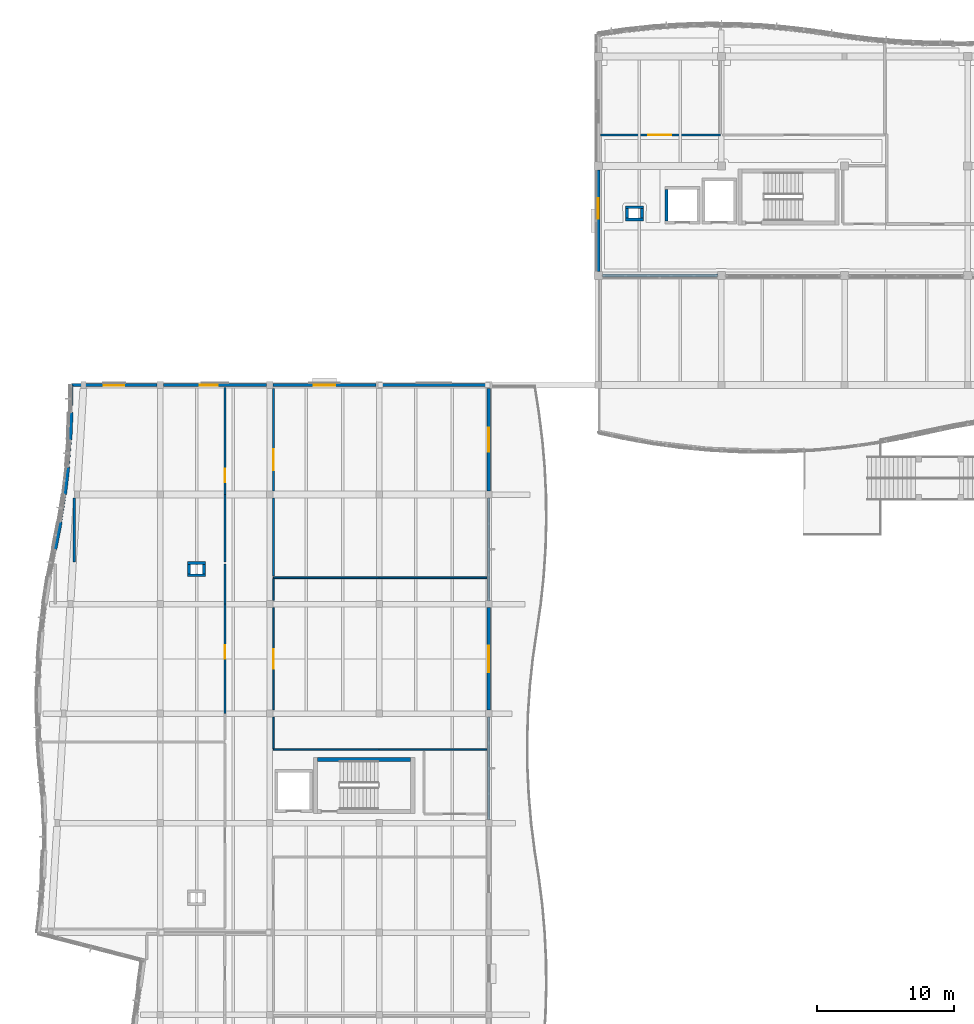
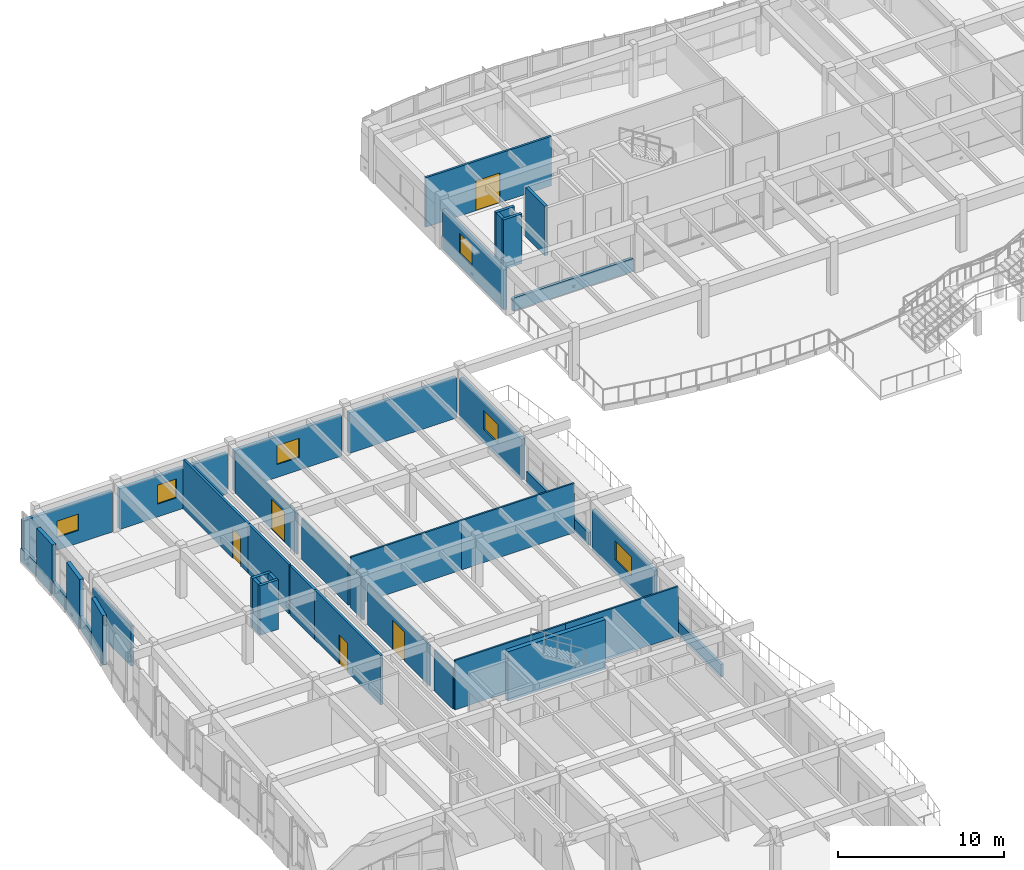
# One storey, part 59 of 89: 41 walls, 6 windows, 5 doors, 11 openings.
"""IFC4 building model written with IfcOpenShell, lengths in metres."""

from ifc_helpers import new_model, si_unit, direction, frame, frame_2d, origin, place, context, subcontext, project, spatial, rectangle, extrude, material, layer, layer_set, type_object, element, fill, save


model = new_model("IFC4")

# Units and contexts
model_context = context("Model", 3, precision=1e-05, world=origin(), true_north=direction((0.0, 1.0)))
body_context = subcontext(model_context, "Body", "Model", "MODEL_VIEW")
ifc_project = project(units=[si_unit("LENGTHUNIT", "METRE"), si_unit("AREAUNIT", "SQUARE_METRE"), si_unit("VOLUMEUNIT", "CUBIC_METRE"), si_unit("PLANEANGLEUNIT", "RADIAN"), si_unit("MASSUNIT", "GRAM", prefix="KILO")], contexts=[model_context])

# Site, building, storey
site_placement = place(None, origin())
site = spatial("IfcSite", under=ifc_project, at=site_placement, CompositionType="ELEMENT")
building_placement = place(site_placement, origin())
building = spatial("IfcBuilding", under=site, at=building_placement, Name="Tonlespit Floodbar School", CompositionType="ELEMENT")
storey_placement = place(building_placement, frame((0.0, 0.0, 4.5)))
storey = spatial("IfcBuildingStorey", under=building, at=storey_placement, Name="L01", CompositionType="ELEMENT", Elevation=4.5)

# Wall
ifc_material_1 = material(Name="Concrete C40/50", Category="concrete")
ifc_layer_1 = layer(ifc_material_1, 0.300048828125)
ifc_layer_set_1 = layer_set([ifc_layer_1], Name="Concrete C40/50")
wall_type_1 = type_object("IfcWallType", Name="CoreWall_RC_300", PredefinedType="SHEAR", material=ifc_layer_set_1)
wall_1_placement = place(storey_placement, frame((30.300048828125, 68.64990234375, 0.0), z_axis=(0.0, 0.0, 1.0), x_axis=(-1.0, 0.0, 0.0)))
element("IfcWall", 1, at=wall_1_placement, inside=storey, type_object=wall_type_1, Name="L01 core C3 shear wall RGHT", PredefinedType="SHEAR", context=body_context, shape_type="SweptSolid", body=[
    extrude(rectangle(XDim=6.800048828125, YDim=0.300048828125, at=frame_2d((3.39990234375, 0.0))), origin(), (0.0, 0.0, 1.0), 3.64990234375),
])

# Wall, opening, window
ifc_material_2 = material(Name="Precast concrete C40/50", Category="concrete")
ifc_layer_2 = layer(ifc_material_2, 0.239990234375)
ifc_layer_set_2 = layer_set([ifc_layer_2], Name="Precast concrete C40/50")
wall_type_2 = type_object("IfcWallType", Name="ExtWall_Rainscreen_240", PredefinedType="SOLIDWALL", material=ifc_layer_set_2)
wall_2_placement = place(storey_placement, frame((44.0, 104.300048828125, 0.0), z_axis=(0.0, 0.0, 1.0), x_axis=(0.0, 1.0, 0.0)))
wall_2 = element("IfcWall", 2, at=wall_2_placement, inside=storey, type_object=wall_type_2, Name="L01 external wall 0092", PredefinedType="SOLIDWALL", context=body_context, shape_type="SweptSolid", body=[
    extrude(rectangle(XDim=7.39990234375, YDim=0.239990234375, at=frame_2d((3.699951171875, 0.0))), origin(), (0.0, 0.0, 1.0), 2.945068359375),
])
opening_1_placement = place(wall_2_placement, frame((3.85009765625, 0.0, 0.949951171875)))
opening_1 = element("IfcOpeningElement", 3, at=opening_1_placement, cuts=wall_2, Name="Opening W-L01-003", PredefinedType="OPENING", context=body_context, shape_type="SweptSolid", body=[
    extrude(rectangle(XDim=1.5, YDim=1.5, at=frame_2d((0.75, 0.75))), frame((0.0, 0.1298828125, 0.0), z_axis=(0.0, -1.0, 0.0), x_axis=(1.0, 0.0, 0.0)), (0.0, 0.0, 1.0), 0.260009765625),
])
ifc_material_3 = material(Name="Tempered Double Glazing", Category="glass")
window_type_1 = type_object("IfcWindowType", Name="Win_Mod_1500x1500", PartitioningType="SINGLE_PANEL", PredefinedType="WINDOW", material=ifc_material_3)
window_1_placement = place(opening_1_placement, origin())
window_1 = element("IfcWindow", 4, at=window_1_placement, inside=storey, type_object=window_type_1, Name="L01 window W-L01-003", OverallHeight=1.5, OverallWidth=1.5, PartitioningType="SINGLE_PANEL", PredefinedType="WINDOW", context=body_context, shape_type="SweptSolid", body=[
    extrude(rectangle(XDim=1.5, YDim=1.5, at=frame_2d((0.75, 0.75))), frame((0.0, 0.030029296875, 0.0), z_axis=(0.0, -1.0, 0.0), x_axis=(1.0, 0.0, 0.0)), (0.0, 0.0, 1.0), 0.06005859375),
])
fill(opening_1, window_1)

wall_3_placement = place(storey_placement, frame((5.514892578125, 96.0, 0.0), z_axis=(0.0, 0.0, 1.0), x_axis=(1.0, 0.0, 0.0)))
wall_3 = element("IfcWall", 5, at=wall_3_placement, inside=storey, type_object=wall_type_2, Name="L01 external wall 0364", PredefinedType="SOLIDWALL", context=body_context, shape_type="SweptSolid", body=[
    extrude(rectangle(XDim=6.235107421875, YDim=0.239990234375, at=frame_2d((3.11767578125, 0.0))), origin(), (0.0, 0.0, 1.0), 3.0),
])
opening_2_placement = place(wall_3_placement, frame((2.367431640625, 0.0, 0.949951171875)))
opening_2 = element("IfcOpeningElement", 6, at=opening_2_placement, cuts=wall_3, Name="Opening W-L01-028", PredefinedType="OPENING", context=body_context, shape_type="SweptSolid", body=[
    extrude(rectangle(XDim=1.5, YDim=1.199951171875, at=frame_2d((0.75, 0.60009765625))), frame((0.0, 0.1298828125, 0.0), z_axis=(0.0, -1.0, 0.0), x_axis=(1.0, 0.0, 0.0)), (0.0, 0.0, 1.0), 0.260009765625),
])
window_type_2 = type_object("IfcWindowType", Name="Win_Mod_1500x1200", PartitioningType="SINGLE_PANEL", PredefinedType="WINDOW", material=ifc_material_3)
window_2_placement = place(opening_2_placement, origin())
window_2 = element("IfcWindow", 7, at=window_2_placement, inside=storey, type_object=window_type_2, Name="L01 window W-L01-028", OverallHeight=1.199951171875, OverallWidth=1.5, PartitioningType="SINGLE_PANEL", PredefinedType="WINDOW", context=body_context, shape_type="SweptSolid", body=[
    extrude(rectangle(XDim=1.5, YDim=1.199951171875, at=frame_2d((0.75, 0.60009765625))), frame((0.0, 0.030029296875, 0.0), z_axis=(0.0, -1.0, 0.0), x_axis=(1.0, 0.0, 0.0)), (0.0, 0.0, 1.0), 0.06005859375),
])
fill(opening_2, window_2)

wall_4_placement = place(storey_placement, frame((12.25, 96.0, 0.0), z_axis=(0.0, 0.0, 1.0), x_axis=(1.0, 0.0, 0.0)))
wall_4 = element("IfcWall", 8, at=wall_4_placement, inside=storey, type_object=wall_type_2, Name="L01 external wall 0365", PredefinedType="SOLIDWALL", context=body_context, shape_type="SweptSolid", body=[
    extrude(rectangle(XDim=7.5, YDim=0.239990234375, at=frame_2d((3.75, 0.0))), origin(), (0.0, 0.0, 1.0), 3.0),
])
opening_3_placement = place(wall_4_placement, frame((2.64990234375, 0.0, 0.949951171875)))
opening_3 = element("IfcOpeningElement", 9, at=opening_3_placement, cuts=wall_4, Name="Opening W-L01-029", PredefinedType="OPENING", context=body_context, shape_type="SweptSolid", body=[
    extrude(rectangle(XDim=1.300048828125, YDim=1.39990234375, at=frame_2d((0.64990234375, 0.699951171875))), frame((0.0, 0.1298828125, 0.0), z_axis=(0.0, -1.0, 0.0), x_axis=(1.0, 0.0, 0.0)), (0.0, 0.0, 1.0), 0.260009765625),
])
window_type_3 = type_object("IfcWindowType", Name="Win_Mod_1300x1400", PartitioningType="SINGLE_PANEL", PredefinedType="WINDOW", material=ifc_material_3)
window_3_placement = place(opening_3_placement, origin())
window_3 = element("IfcWindow", 10, at=window_3_placement, inside=storey, type_object=window_type_3, Name="L01 window W-L01-029", OverallHeight=1.39990234375, OverallWidth=1.300048828125, PartitioningType="SINGLE_PANEL", PredefinedType="WINDOW", context=body_context, shape_type="SweptSolid", body=[
    extrude(rectangle(XDim=1.300048828125, YDim=1.39990234375, at=frame_2d((0.64990234375, 0.699951171875))), frame((0.0, 0.030029296875, 0.0), z_axis=(0.0, -1.0, 0.0), x_axis=(1.0, 0.0, 0.0)), (0.0, 0.0, 1.0), 0.06005859375),
])
fill(opening_3, window_3)

wall_5_placement = place(storey_placement, frame((20.25, 96.0, 0.0), z_axis=(0.0, 0.0, 1.0), x_axis=(1.0, 0.0, 0.0)))
wall_5 = element("IfcWall", 11, at=wall_5_placement, inside=storey, type_object=wall_type_2, Name="L01 external wall 0366", PredefinedType="SOLIDWALL", context=body_context, shape_type="SweptSolid", body=[
    extrude(rectangle(XDim=7.5, YDim=0.239990234375, at=frame_2d((3.75, 0.0))), origin(), (0.0, 0.0, 1.0), 3.0),
])
opening_4_placement = place(wall_5_placement, frame((2.97509765625, 0.0, 0.949951171875)))
opening_4 = element("IfcOpeningElement", 12, at=opening_4_placement, cuts=wall_5, Name="Opening W-L01-030", PredefinedType="OPENING", context=body_context, shape_type="SweptSolid", body=[
    extrude(rectangle(XDim=1.550048828125, YDim=1.39990234375, at=frame_2d((0.77490234375, 0.699951171875))), frame((0.0, 0.1298828125, 0.0), z_axis=(0.0, -1.0, 0.0), x_axis=(1.0, 0.0, 0.0)), (0.0, 0.0, 1.0), 0.260009765625),
])
window_type_4 = type_object("IfcWindowType", Name="Win_Mod_1550x1400", PartitioningType="SINGLE_PANEL", PredefinedType="WINDOW", material=ifc_material_3)
window_4_placement = place(opening_4_placement, origin())
window_4 = element("IfcWindow", 13, at=window_4_placement, inside=storey, type_object=window_type_4, Name="L01 window W-L01-030", OverallHeight=1.39990234375, OverallWidth=1.550048828125, PartitioningType="SINGLE_PANEL", PredefinedType="WINDOW", context=body_context, shape_type="SweptSolid", body=[
    extrude(rectangle(XDim=1.550048828125, YDim=1.39990234375, at=frame_2d((0.77490234375, 0.699951171875))), frame((0.0, 0.030029296875, 0.0), z_axis=(0.0, -1.0, 0.0), x_axis=(1.0, 0.0, 0.0)), (0.0, 0.0, 1.0), 0.06005859375),
])
fill(opening_4, window_4)

# Wall
wall_6_placement = place(storey_placement, frame((28.25, 96.0, 0.0), z_axis=(0.0, 0.0, 1.0), x_axis=(1.0, 0.0, 0.0)))
element("IfcWall", 14, at=wall_6_placement, inside=storey, type_object=wall_type_2, Name="L01 external wall 0367", PredefinedType="SOLIDWALL", context=body_context, shape_type="SweptSolid", body=[
    extrude(rectangle(XDim=7.5, YDim=0.239990234375, at=frame_2d((3.75, 0.0))), origin(), (0.0, 0.0, 1.0), 3.0),
])

# Wall, opening, window
wall_7_placement = place(storey_placement, frame((36.0, 95.75, 0.0), z_axis=(0.0, 0.0, 1.0), x_axis=(0.0, -1.0, 0.0)))
wall_7 = element("IfcWall", 15, at=wall_7_placement, inside=storey, type_object=wall_type_2, Name="L01 external wall 0368", PredefinedType="SOLIDWALL", context=body_context, shape_type="SweptSolid", body=[
    extrude(rectangle(XDim=7.5, YDim=0.239990234375, at=frame_2d((3.75, 0.0))), origin(), (0.0, 0.0, 1.0), 3.0),
])
opening_5_placement = place(wall_7_placement, frame((2.875, 0.0, 0.949951171875)))
opening_5 = element("IfcOpeningElement", 16, at=opening_5_placement, cuts=wall_7, Name="Opening W-L01-031", PredefinedType="OPENING", context=body_context, shape_type="SweptSolid", body=[
    extrude(rectangle(XDim=1.75, YDim=1.39990234375, at=frame_2d((0.875, 0.699951171875))), frame((0.0, 0.1298828125, 0.0), z_axis=(0.0, -1.0, 0.0), x_axis=(1.0, 0.0, 0.0)), (0.0, 0.0, 1.0), 0.260009765625),
])
window_type_5 = type_object("IfcWindowType", Name="Win_Mod_1750x1400", PartitioningType="DOUBLE_PANEL_VERTICAL", PredefinedType="WINDOW", material=ifc_material_3)
window_5_placement = place(opening_5_placement, origin())
window_5 = element("IfcWindow", 17, at=window_5_placement, inside=storey, type_object=window_type_5, Name="L01 window W-L01-031", OverallHeight=1.39990234375, OverallWidth=1.75, PartitioningType="DOUBLE_PANEL_VERTICAL", PredefinedType="WINDOW", context=body_context, shape_type="SweptSolid", body=[
    extrude(rectangle(XDim=1.75, YDim=1.39990234375, at=frame_2d((0.875, 0.699951171875))), frame((0.0, 0.030029296875, 0.0), z_axis=(0.0, -1.0, 0.0), x_axis=(1.0, 0.0, 0.0)), (0.0, 0.0, 1.0), 0.06005859375),
])
fill(opening_5, window_5)

wall_8_placement = place(storey_placement, frame((36.0, 79.75, 0.0), z_axis=(0.0, 0.0, 1.0), x_axis=(0.0, -1.0, 0.0)))
wall_8 = element("IfcWall", 18, at=wall_8_placement, inside=storey, type_object=wall_type_2, Name="L01 external wall 0370", PredefinedType="SOLIDWALL", context=body_context, shape_type="SweptSolid", body=[
    extrude(rectangle(XDim=7.5, YDim=0.239990234375, at=frame_2d((3.75, 0.0))), origin(), (0.0, 0.0, 1.0), 3.0),
])
opening_6_placement = place(wall_8_placement, frame((2.77490234375, 0.0, 0.949951171875)))
opening_6 = element("IfcOpeningElement", 19, at=opening_6_placement, cuts=wall_8, Name="Opening W-L01-032", PredefinedType="OPENING", context=body_context, shape_type="SweptSolid", body=[
    extrude(rectangle(XDim=1.949951171875, YDim=1.39990234375, at=frame_2d((0.97509765625, 0.699951171875))), frame((0.0, 0.1298828125, 0.0), z_axis=(0.0, -1.0, 0.0), x_axis=(1.0, 0.0, 0.0)), (0.0, 0.0, 1.0), 0.260009765625),
])
window_type_6 = type_object("IfcWindowType", Name="Win_Mod_1950x1400", PartitioningType="DOUBLE_PANEL_VERTICAL", PredefinedType="WINDOW", material=ifc_material_3)
window_6_placement = place(opening_6_placement, origin())
window_6 = element("IfcWindow", 20, at=window_6_placement, inside=storey, type_object=window_type_6, Name="L01 window W-L01-032", OverallHeight=1.39990234375, OverallWidth=1.949951171875, PartitioningType="DOUBLE_PANEL_VERTICAL", PredefinedType="WINDOW", context=body_context, shape_type="SweptSolid", body=[
    extrude(rectangle(XDim=1.949951171875, YDim=1.39990234375, at=frame_2d((0.97509765625, 0.699951171875))), frame((0.0, 0.030029296875, 0.0), z_axis=(0.0, -1.0, 0.0), x_axis=(1.0, 0.0, 0.0)), (0.0, 0.0, 1.0), 0.06005859375),
])
fill(opening_6, window_6)

# Walls
ifc_layer_3 = layer(ifc_material_2, 0.260009765625)
ifc_layer_set_3 = layer_set([ifc_layer_3], Name="Precast concrete C40/50")
wall_type_3 = type_object("IfcWallType", Name="ExtWall_Rainscreen_260", PredefinedType="SOLIDWALL", material=ifc_layer_set_3)
wall_9_placement = place(storey_placement, frame((4.330078125, 84.0, 0.0), z_axis=(0.0, 0.0, 1.0), x_axis=(0.192152065658, 0.981365163262, 0.0)))
element("IfcWall", 21, at=wall_9_placement, inside=storey, type_object=wall_type_3, Name="L01 external wall 0358", PredefinedType="SOLIDWALL", context=body_context, shape_type="SweptSolid", body=[
    extrude(rectangle(XDim=2.0380859375, YDim=0.260009765625, at=frame_2d((1.01904296875, 0.0))), origin(), (0.0, 0.0, 1.0), 3.64990234375),
])
wall_10_placement = place(storey_placement, frame((5.034912109375, 88.0, 0.0), z_axis=(0.0, 0.0, 1.0), x_axis=(0.116988959085, 0.99313321536, 0.0)))
element("IfcWall", 22, at=wall_10_placement, inside=storey, type_object=wall_type_3, Name="L01 external wall 0360", PredefinedType="SOLIDWALL", context=body_context, shape_type="SweptSolid", body=[
    extrude(rectangle(XDim=2.013916015625, YDim=0.260009765625, at=frame_2d((1.0068359375, 0.0))), origin(), (0.0, 0.0, 1.0), 3.64990234375),
])
wall_11_placement = place(storey_placement, frame((5.42919921875, 92.0, 0.0), z_axis=(0.0, 0.0, 1.0), x_axis=(0.04061587159, 0.999174835039, 0.0)))
element("IfcWall", 23, at=wall_11_placement, inside=storey, type_object=wall_type_3, Name="L01 external wall 0362", PredefinedType="SOLIDWALL", context=body_context, shape_type="SweptSolid", body=[
    extrude(rectangle(XDim=2.001708984375, YDim=0.260009765625, at=frame_2d((1.0009765625, 0.0))), origin(), (0.0, 0.0, 1.0), 3.64990234375),
])
ifc_material_4 = material(Name="White Architectural Precast concrete C40/50", Category="concrete")
ifc_layer_4 = layer(ifc_material_4, 0.18505859375)
ifc_layer_set_4 = layer_set([ifc_layer_4], Name="White Architectural Precast concrete C40/50")
wall_type_4 = type_object("IfcWallType", Name="ExtWall_Spandrel_White_185", PredefinedType="SOLIDWALL", material=ifc_layer_set_4)
for number, where, z_axis, x_axis, name in (
    (24, (36.0, 87.75, 0.0), (0.0, 0.0, 1.0), (0.0, -1.0, 0.0), "L01 spandrel wall 0369"),
    (25, (36.0, 71.75, 0.0), (0.0, 0.0, 1.0), (0.0, -1.0, 0.0), "L01 spandrel wall 0371"),
):
    element("IfcWall", number, at=place(storey_placement, frame(where, z_axis=z_axis, x_axis=x_axis)), inside=storey, type_object=wall_type_4, Name=name, PredefinedType="SOLIDWALL", context=body_context, shape_type="SweptSolid", body=[
        extrude(rectangle(XDim=7.5, YDim=0.18505859375, at=frame_2d((3.75, 0.0))), origin(), (0.0, 0.0, 1.0), 0.949951171875),
    ])
ifc_layer_5 = layer(ifc_material_4, 0.199951171875)
ifc_layer_set_5 = layer_set([ifc_layer_5], Name="White Architectural Precast concrete C40/50")
wall_type_5 = type_object("IfcWallType", Name="ExtWall_Spandrel_White_200", PredefinedType="SOLIDWALL", material=ifc_layer_set_5)
wall_12_placement = place(storey_placement, frame((52.699951171875, 104.0, 0.0), z_axis=(0.0, 0.0, 1.0), x_axis=(-1.0, 0.0, 0.0)))
element("IfcWall", 26, at=wall_12_placement, inside=storey, type_object=wall_type_5, Name="L01 spandrel wall 0091", PredefinedType="SOLIDWALL", context=body_context, shape_type="SweptSolid", body=[
    extrude(rectangle(XDim=8.39990234375, YDim=0.199951171875, at=frame_2d((4.199951171875, 0.0))), origin(), (0.0, 0.0, 1.0), 0.949951171875),
])
wall_13_placement = place(storey_placement, frame((4.7216796875, 86.0, 0.0), z_axis=(0.0, 0.0, 1.0), x_axis=(0.15473004848, 0.987956786554, 0.0)))
element("IfcWall", 27, at=wall_13_placement, inside=storey, type_object=wall_type_5, Name="L01 spandrel wall 0359", PredefinedType="SOLIDWALL", context=body_context, shape_type="SweptSolid", body=[
    extrude(rectangle(XDim=2.0244140625, YDim=0.199951171875, at=frame_2d((1.01220703125, 0.0))), origin(), (0.0, 0.0, 1.0), 0.949951171875),
])
wall_14_placement = place(storey_placement, frame((5.2705078125, 90.0, 0.0), z_axis=(0.0, 0.0, 1.0), x_axis=(0.079097106354, 0.996866915775, 0.0)))
element("IfcWall", 28, at=wall_14_placement, inside=storey, type_object=wall_type_5, Name="L01 spandrel wall 0361", PredefinedType="SOLIDWALL", context=body_context, shape_type="SweptSolid", body=[
    extrude(rectangle(XDim=2.00634765625, YDim=0.199951171875, at=frame_2d((1.003173828125, 0.0))), origin(), (0.0, 0.0, 1.0), 0.949951171875),
])
wall_15_placement = place(storey_placement, frame((5.510498046875, 94.0, 0.0), z_axis=(0.0, 0.0, 1.0), x_axis=(0.002197260321, 0.999997586021, 0.0)))
element("IfcWall", 29, at=wall_15_placement, inside=storey, type_object=wall_type_5, Name="L01 spandrel wall 0363", PredefinedType="SOLIDWALL", context=body_context, shape_type="SweptSolid", body=[
    extrude(rectangle(XDim=2.0, YDim=0.199951171875, at=frame_2d((1.0, 0.0))), origin(), (0.0, 0.0, 1.0), 0.949951171875),
])

# Wall, opening, door
ifc_material_5 = material(Name="Gypsum Plasterboard Partition")
ifc_layer_6 = layer(ifc_material_5, 0.159912109375)
ifc_layer_set_6 = layer_set([ifc_layer_6], Name="Gypsum Plasterboard Partition")
wall_type_6 = type_object("IfcWallType", Name="FireWall_Lab_160", PredefinedType="PARTITIONING", material=ifc_layer_set_6)
wall_16_placement = place(storey_placement, frame((16.72998046875, 72.0, 0.0), z_axis=(0.0, 0.0, 1.0), x_axis=(0.0, 1.0, 0.0)))
wall_16 = element("IfcWall", 30, at=wall_16_placement, inside=storey, type_object=wall_type_6, Name="L01 partition wall 0192", PredefinedType="PARTITIONING", context=body_context, shape_type="SweptSolid", body=[
    extrude(rectangle(XDim=8.0, YDim=0.159912109375, at=frame_2d((4.0, 0.0))), origin(), (0.0, 0.0, 1.0), 3.64990234375),
])
opening_7_placement = place(wall_16_placement, frame((4.0, 0.0, 0.0)))
opening_7 = element("IfcOpeningElement", 31, at=opening_7_placement, cuts=wall_16, Name="Opening D-L01-057", PredefinedType="OPENING", context=body_context, shape_type="SweptSolid", body=[
    extrude(rectangle(XDim=1.0, YDim=2.14990234375, at=frame_2d((0.5, 1.074951171875))), frame((0.0, 0.08984375, 0.0), z_axis=(0.0, -1.0, 0.0), x_axis=(1.0, 0.0, 0.0)), (0.0, 0.0, 1.0), 0.179931640625),
])
ifc_material_6 = material(Name="Hardwood Timber", Category="wood")
door_type_1 = type_object("IfcDoorType", Name="FireDoor_Compartment_1000x2150", OperationType="NOTDEFINED", PredefinedType="DOOR", material=ifc_material_6)
door_1_placement = place(opening_7_placement, origin())
door_1 = element("IfcDoor", 32, at=door_1_placement, inside=storey, type_object=door_type_1, Name="L01 interior door D-L01-057", OperationType="SINGLE_SWING_RIGHT", OverallHeight=2.14990234375, OverallWidth=1.0, PredefinedType="DOOR", context=body_context, shape_type="SweptSolid", body=[
    extrude(rectangle(XDim=1.0, YDim=2.14990234375, at=frame_2d((0.5, 1.074951171875))), frame((0.0, 0.02490234375, 0.0), z_axis=(0.0, -1.0, 0.0), x_axis=(1.0, 0.0, 0.0)), (0.0, 0.0, 1.0), 0.050048828125),
])
fill(opening_7, door_1)

# Walls
wall_17_placement = place(storey_placement, frame((16.72998046875, 80.0, 0.0), z_axis=(0.0, 0.0, 1.0), x_axis=(0.0, 1.0, 0.0)))
element("IfcWall", 33, at=wall_17_placement, inside=storey, type_object=wall_type_6, Name="L01 partition wall 0193", PredefinedType="PARTITIONING", context=body_context, shape_type="SweptSolid", body=[
    extrude(rectangle(XDim=2.929931640625, YDim=0.159912109375, at=frame_2d((1.46484375, 0.0))), origin(), (0.0, 0.0, 1.0), 3.64990234375),
])
wall_18_placement = place(storey_placement, frame((5.72802734375, 83.070068359375, 0.0), z_axis=(0.0, 0.0, 1.0), x_axis=(0.0, 1.0, 0.0)))
element("IfcWall", 34, at=wall_18_placement, inside=storey, type_object=wall_type_6, Name="L01 partition wall 0194", PredefinedType="PARTITIONING", context=body_context, shape_type="SweptSolid", body=[
    extrude(rectangle(XDim=4.6650390625, YDim=0.159912109375, at=frame_2d((2.33251953125, 0.0))), origin(), (0.0, 0.0, 1.0), 2.949951171875),
])
wall_19_placement = place(storey_placement, frame((16.72998046875, 83.070068359375, 0.0), z_axis=(0.0, 0.0, 1.0), x_axis=(0.0, 1.0, 0.0)))
element("IfcWall", 35, at=wall_19_placement, inside=storey, type_object=wall_type_6, Name="L01 partition wall 0195", PredefinedType="PARTITIONING", context=body_context, shape_type="SweptSolid", body=[
    extrude(rectangle(XDim=4.929931640625, YDim=0.159912109375, at=frame_2d((2.46484375, 0.0))), origin(), (0.0, 0.0, 1.0), 3.64990234375),
])

# Wall, opening, door
wall_20_placement = place(storey_placement, frame((16.72998046875, 88.0, 0.0), z_axis=(0.0, 0.0, 1.0), x_axis=(0.0, 1.0, 0.0)))
wall_20 = element("IfcWall", 36, at=wall_20_placement, inside=storey, type_object=wall_type_6, Name="L01 partition wall 0196", PredefinedType="PARTITIONING", context=body_context, shape_type="SweptSolid", body=[
    extrude(rectangle(XDim=7.837890625, YDim=0.159912109375, at=frame_2d((3.9189453125, 0.0))), origin(), (0.0, 0.0, 1.0), 3.64990234375),
])
opening_8_placement = place(wall_20_placement, frame((0.89990234375, 0.0, 0.0)))
opening_8 = element("IfcOpeningElement", 37, at=opening_8_placement, cuts=wall_20, Name="Opening D-L01-058", PredefinedType="OPENING", context=body_context, shape_type="SweptSolid", body=[
    extrude(rectangle(XDim=1.0, YDim=2.14990234375, at=frame_2d((0.5, 1.074951171875))), frame((0.0, 0.08984375, 0.0), z_axis=(0.0, -1.0, 0.0), x_axis=(1.0, 0.0, 0.0)), (0.0, 0.0, 1.0), 0.179931640625),
])
door_2_placement = place(opening_8_placement, origin())
door_2 = element("IfcDoor", 38, at=door_2_placement, inside=storey, type_object=door_type_1, Name="L01 interior door D-L01-058", OperationType="SINGLE_SWING_LEFT", OverallHeight=2.14990234375, OverallWidth=1.0, PredefinedType="DOOR", context=body_context, shape_type="SweptSolid", body=[
    extrude(rectangle(XDim=1.0, YDim=2.14990234375, at=frame_2d((0.5, 1.074951171875))), frame((0.0, 0.02490234375, 0.0), z_axis=(0.0, -1.0, 0.0), x_axis=(1.0, 0.0, 0.0)), (0.0, 0.0, 1.0), 0.050048828125),
])
fill(opening_8, door_2)

# Walls
ifc_layer_7 = layer(ifc_material_1, 0.199951171875)
ifc_layer_set_7 = layer_set([ifc_layer_7], Name="Concrete C40/50")
wall_type_7 = type_object("IfcWallType", Name="FireWall_Plant_200", PredefinedType="PARTITIONING", material=ifc_layer_set_7)
for number, where, z_axis, x_axis, name in (
    (39, (47.300048828125, 108.10009765625, 0.0), (0.0, 0.0, 1.0), (-1.0, 0.0, 0.0), "L01 service riser 01 wall S"),
    (40, (46.0, 109.0, 0.0), (0.0, 0.0, 1.0), (1.0, 0.0, 0.0), "L01 service riser 01 wall N"),
):
    element("IfcWall", number, at=place(storey_placement, frame(where, z_axis=z_axis, x_axis=x_axis)), inside=storey, type_object=wall_type_7, Name=name, PredefinedType="PARTITIONING", context=body_context, shape_type="SweptSolid", body=[
        extrude(rectangle(XDim=1.300048828125, YDim=0.199951171875, at=frame_2d((0.64990234375, 0.0))), origin(), (0.0, 0.0, 1.0), 3.64990234375),
    ])
wall_21_placement = place(storey_placement, frame((46.10009765625, 108.199951171875, 0.0), z_axis=(0.0, 0.0, 1.0), x_axis=(0.0, 1.0, 0.0)))
element("IfcWall", 41, at=wall_21_placement, inside=storey, type_object=wall_type_7, Name="L01 service riser 01 wall W", PredefinedType="PARTITIONING", context=body_context, shape_type="SweptSolid", body=[
    extrude(rectangle(XDim=0.699951171875, YDim=0.199951171875, at=frame_2d((0.35009765625, 0.0))), origin(), (0.0, 0.0, 1.0), 3.64990234375),
])
wall_22_placement = place(storey_placement, frame((47.199951171875, 108.89990234375, 0.0), z_axis=(0.0, 0.0, 1.0), x_axis=(0.0, -1.0, 0.0)))
element("IfcWall", 42, at=wall_22_placement, inside=storey, type_object=wall_type_7, Name="L01 service riser 01 wall E", PredefinedType="PARTITIONING", context=body_context, shape_type="SweptSolid", body=[
    extrude(rectangle(XDim=0.699951171875, YDim=0.199951171875, at=frame_2d((0.35009765625, 0.0))), origin(), (0.0, 0.0, 1.0), 3.2451171875),
])
for number, where, z_axis, x_axis, name in (
    (43, (15.300048828125, 82.10009765625, 0.0), (0.0, 0.0, 1.0), (-1.0, 0.0, 0.0), "L01 service riser 04 wall S"),
    (44, (14.0, 83.0, 0.0), (0.0, 0.0, 1.0), (1.0, 0.0, 0.0), "L01 service riser 04 wall N"),
):
    element("IfcWall", number, at=place(storey_placement, frame(where, z_axis=z_axis, x_axis=x_axis)), inside=storey, type_object=wall_type_7, Name=name, PredefinedType="PARTITIONING", context=body_context, shape_type="SweptSolid", body=[
        extrude(rectangle(XDim=1.300048828125, YDim=0.199951171875, at=frame_2d((0.64990234375, 0.0))), origin(), (0.0, 0.0, 1.0), 3.64990234375),
    ])
for number, where, z_axis, x_axis, name in (
    (45, (14.10009765625, 82.199951171875, 0.0), (0.0, 0.0, 1.0), (0.0, 1.0, 0.0), "L01 service riser 04 wall W"),
    (46, (15.199951171875, 82.89990234375, 0.0), (0.0, 0.0, 1.0), (0.0, -1.0, 0.0), "L01 service riser 04 wall E"),
):
    element("IfcWall", number, at=place(storey_placement, frame(where, z_axis=z_axis, x_axis=x_axis)), inside=storey, type_object=wall_type_7, Name=name, PredefinedType="PARTITIONING", context=body_context, shape_type="SweptSolid", body=[
        extrude(rectangle(XDim=0.699951171875, YDim=0.199951171875, at=frame_2d((0.35009765625, 0.0))), origin(), (0.0, 0.0, 1.0), 3.64990234375),
    ])
ifc_layer_8 = layer(ifc_material_5, 0.1201171875)
ifc_layer_set_8 = layer_set([ifc_layer_8], Name="Gypsum Plasterboard Partition")
wall_type_8 = type_object("IfcWallType", Name="Partition_Gyp_120", PredefinedType="PARTITIONING", material=ifc_layer_set_8)
wall_23_placement = place(storey_placement, frame((20.27001953125, 69.3701171875, 0.0), z_axis=(0.0, 0.0, 1.0), x_axis=(1.0, 0.0, 0.0)))
element("IfcWall", 47, at=wall_23_placement, inside=storey, type_object=wall_type_8, Name="L01 partition wall 0197", PredefinedType="PARTITIONING", context=body_context, shape_type="SweptSolid", body=[
    extrude(rectangle(XDim=7.72998046875, YDim=0.1201171875, at=frame_2d((3.864990234375, 0.0))), origin(), (0.0, 0.0, 1.0), 3.64990234375),
])
wall_24_placement = place(storey_placement, frame((28.0, 69.3701171875, 0.0), z_axis=(0.0, 0.0, 1.0), x_axis=(1.0, 0.0, 0.0)))
element("IfcWall", 48, at=wall_24_placement, inside=storey, type_object=wall_type_8, Name="L01 partition wall 0198", PredefinedType="PARTITIONING", context=body_context, shape_type="SweptSolid", body=[
    extrude(rectangle(XDim=7.865478515625, YDim=0.1201171875, at=frame_2d((3.9326171875, 0.0))), origin(), (0.0, 0.0, 1.0), 3.64990234375),
])
wall_25_placement = place(storey_placement, frame((20.27001953125, 81.929931640625, 0.0), z_axis=(0.0, 0.0, 1.0), x_axis=(1.0, 0.0, 0.0)))
element("IfcWall", 49, at=wall_25_placement, inside=storey, type_object=wall_type_8, Name="L01 partition wall 0199", PredefinedType="PARTITIONING", context=body_context, shape_type="SweptSolid", body=[
    extrude(rectangle(XDim=7.72998046875, YDim=0.1201171875, at=frame_2d((3.864990234375, 0.0))), origin(), (0.0, 0.0, 1.0), 3.64990234375),
])
wall_26_placement = place(storey_placement, frame((28.0, 81.929931640625, 0.0), z_axis=(0.0, 0.0, 1.0), x_axis=(1.0, 0.0, 0.0)))
element("IfcWall", 50, at=wall_26_placement, inside=storey, type_object=wall_type_8, Name="L01 partition wall 0200", PredefinedType="PARTITIONING", context=body_context, shape_type="SweptSolid", body=[
    extrude(rectangle(XDim=7.865478515625, YDim=0.1201171875, at=frame_2d((3.9326171875, 0.0))), origin(), (0.0, 0.0, 1.0), 3.64990234375),
])
wall_27_placement = place(storey_placement, frame((20.27001953125, 69.445068359375, 0.0), z_axis=(0.0, 0.0, 1.0), x_axis=(0.0, 1.0, 0.0)))
element("IfcWall", 51, at=wall_27_placement, inside=storey, type_object=wall_type_8, Name="L01 partition wall 0201", PredefinedType="PARTITIONING", context=body_context, shape_type="SweptSolid", body=[
    extrude(rectangle(XDim=2.2900390625, YDim=0.1201171875, at=frame_2d((1.14501953125, 0.0))), origin(), (0.0, 0.0, 1.0), 3.0),
])

# Wall, opening, door
wall_28_placement = place(storey_placement, frame((20.27001953125, 72.264892578125, 0.0), z_axis=(0.0, 0.0, 1.0), x_axis=(0.0, 1.0, 0.0)))
wall_28 = element("IfcWall", 52, at=wall_28_placement, inside=storey, type_object=wall_type_8, Name="L01 partition wall 0202", PredefinedType="PARTITIONING", context=body_context, shape_type="SweptSolid", body=[
    extrude(rectangle(XDim=7.47021484375, YDim=0.1201171875, at=frame_2d((3.735107421875, 0.0))), origin(), (0.0, 0.0, 1.0), 3.0),
])
opening_9_placement = place(wall_28_placement, frame((3.014892578125, 0.0, 0.0)))
opening_9 = element("IfcOpeningElement", 53, at=opening_9_placement, cuts=wall_28, Name="Opening D-L01-059", PredefinedType="OPENING", context=body_context, shape_type="SweptSolid", body=[
    extrude(rectangle(XDim=1.43994140625, YDim=2.14990234375, at=frame_2d((0.719970703125, 1.074951171875))), frame((0.0, 0.070068359375, 0.0), z_axis=(0.0, -1.0, 0.0), x_axis=(1.0, 0.0, 0.0)), (0.0, 0.0, 1.0), 0.14013671875),
])
door_type_2 = type_object("IfcDoorType", Name="IntDoor_1440x2150", OperationType="NOTDEFINED", PredefinedType="DOOR", material=ifc_material_6)
door_3_placement = place(opening_9_placement, origin())
door_3 = element("IfcDoor", 54, at=door_3_placement, inside=storey, type_object=door_type_2, Name="L01 interior door D-L01-059", OperationType="SINGLE_SWING_RIGHT", OverallHeight=2.14990234375, OverallWidth=1.43994140625, PredefinedType="DOOR", context=body_context, shape_type="SweptSolid", body=[
    extrude(rectangle(XDim=1.43994140625, YDim=2.14990234375, at=frame_2d((0.719970703125, 1.074951171875))), frame((0.0, 0.02490234375, 0.0), z_axis=(0.0, -1.0, 0.0), x_axis=(1.0, 0.0, 0.0)), (0.0, 0.0, 1.0), 0.050048828125),
])
fill(opening_9, door_3)

# Walls
wall_29_placement = place(storey_placement, frame((20.27001953125, 80.264892578125, 0.0), z_axis=(0.0, 0.0, 1.0), x_axis=(0.0, 1.0, 0.0)))
element("IfcWall", 55, at=wall_29_placement, inside=storey, type_object=wall_type_8, Name="L01 partition wall 0203", PredefinedType="PARTITIONING", context=body_context, shape_type="SweptSolid", body=[
    extrude(rectangle(XDim=1.590087890625, YDim=0.1201171875, at=frame_2d((0.794921875, 0.0))), origin(), (0.0, 0.0, 1.0), 3.0),
])
ifc_layer_9 = layer(ifc_material_5, 0.1298828125)
ifc_layer_set_9 = layer_set([ifc_layer_9], Name="Gypsum Plasterboard Partition")
wall_type_9 = type_object("IfcWallType", Name="Partition_Gyp_130", PredefinedType="PARTITIONING", material=ifc_layer_set_9)
wall_30_placement = place(storey_placement, frame((20.27001953125, 82.070068359375, 0.0), z_axis=(0.0, 0.0, 1.0), x_axis=(0.0, 1.0, 0.0)))
element("IfcWall", 56, at=wall_30_placement, inside=storey, type_object=wall_type_9, Name="L01 partition wall 0204", PredefinedType="PARTITIONING", context=body_context, shape_type="SweptSolid", body=[
    extrude(rectangle(XDim=5.6650390625, YDim=0.1298828125, at=frame_2d((2.83251953125, 0.0))), origin(), (0.0, 0.0, 1.0), 3.0),
])

# Wall, opening, door
wall_31_placement = place(storey_placement, frame((20.27001953125, 88.264892578125, 0.0), z_axis=(0.0, 0.0, 1.0), x_axis=(0.0, 1.0, 0.0)))
wall_31 = element("IfcWall", 57, at=wall_31_placement, inside=storey, type_object=wall_type_9, Name="L01 partition wall 0205", PredefinedType="PARTITIONING", context=body_context, shape_type="SweptSolid", body=[
    extrude(rectangle(XDim=7.47021484375, YDim=0.1298828125, at=frame_2d((3.735107421875, 0.0))), origin(), (0.0, 0.0, 1.0), 3.0),
])
opening_10_placement = place(wall_31_placement, frame((1.52490234375, 0.0, 0.0)))
opening_10 = element("IfcOpeningElement", 58, at=opening_10_placement, cuts=wall_31, Name="Opening D-L01-060", PredefinedType="OPENING", context=body_context, shape_type="SweptSolid", body=[
    extrude(rectangle(XDim=1.52001953125, YDim=2.199951171875, at=frame_2d((0.760009765625, 1.10009765625))), frame((0.0, 0.074951171875, 0.0), z_axis=(0.0, -1.0, 0.0), x_axis=(1.0, 0.0, 0.0)), (0.0, 0.0, 1.0), 0.14990234375),
])
door_type_3 = type_object("IfcDoorType", Name="IntDoor_1520x2200", OperationType="NOTDEFINED", PredefinedType="DOOR", material=ifc_material_6)
door_4_placement = place(opening_10_placement, origin())
door_4 = element("IfcDoor", 59, at=door_4_placement, inside=storey, type_object=door_type_3, Name="L01 interior door D-L01-060", OperationType="SINGLE_SWING_LEFT", OverallHeight=2.199951171875, OverallWidth=1.52001953125, PredefinedType="DOOR", context=body_context, shape_type="SweptSolid", body=[
    extrude(rectangle(XDim=1.52001953125, YDim=2.199951171875, at=frame_2d((0.760009765625, 1.10009765625))), frame((0.0, 0.02490234375, 0.0), z_axis=(0.0, -1.0, 0.0), x_axis=(1.0, 0.0, 0.0)), (0.0, 0.0, 1.0), 0.050048828125),
])
fill(opening_10, door_4)

ifc_layer_10 = layer(ifc_material_5, 0.14990234375)
ifc_layer_set_10 = layer_set([ifc_layer_10], Name="Gypsum Plasterboard Partition")
wall_type_10 = type_object("IfcWallType", Name="Partition_Gyp_150", PredefinedType="PARTITIONING", material=ifc_layer_set_10)
wall_32_placement = place(storey_placement, frame((44.162109375, 114.27001953125, 0.0), z_axis=(0.0, 0.0, 1.0), x_axis=(1.0, 0.0, 0.0)))
wall_32 = element("IfcWall", 60, at=wall_32_placement, inside=storey, type_object=wall_type_10, Name="L01 partition wall 0033", PredefinedType="PARTITIONING", context=body_context, shape_type="SweptSolid", body=[
    extrude(rectangle(XDim=8.767822265625, YDim=0.14990234375, at=frame_2d((4.3837890625, 0.0))), origin(), (0.0, 0.0, 1.0), 3.64990234375),
])
opening_11_placement = place(wall_32_placement, frame((3.498046875, 0.0, 0.0)))
opening_11 = element("IfcOpeningElement", 61, at=opening_11_placement, cuts=wall_32, Name="Opening D-L01-010", PredefinedType="OPENING", context=body_context, shape_type="SweptSolid", body=[
    extrude(rectangle(XDim=1.679931640625, YDim=2.199951171875, at=frame_2d((0.83984375, 1.10009765625))), frame((0.0, 0.0849609375, 0.0), z_axis=(0.0, -1.0, 0.0), x_axis=(1.0, 0.0, 0.0)), (0.0, 0.0, 1.0), 0.169921875),
])
door_type_4 = type_object("IfcDoorType", Name="IntDoor_1680x2200", OperationType="NOTDEFINED", PredefinedType="DOOR", material=ifc_material_6)
door_5_placement = place(opening_11_placement, origin())
door_5 = element("IfcDoor", 62, at=door_5_placement, inside=storey, type_object=door_type_4, Name="L01 interior door D-L01-010", OperationType="SINGLE_SWING_LEFT", OverallHeight=2.199951171875, OverallWidth=1.679931640625, PredefinedType="DOOR", context=body_context, shape_type="SweptSolid", body=[
    extrude(rectangle(XDim=1.679931640625, YDim=2.199951171875, at=frame_2d((0.83984375, 1.10009765625))), frame((0.0, 0.02490234375, 0.0), z_axis=(0.0, -1.0, 0.0), x_axis=(1.0, 0.0, 0.0)), (0.0, 0.0, 1.0), 0.050048828125),
])
fill(opening_11, door_5)

# Wall
ifc_layer_11 = layer(ifc_material_1, 0.219970703125)
ifc_layer_set_11 = layer_set([ifc_layer_11], Name="Concrete C40/50")
wall_type_11 = type_object("IfcWallType", Name="ShaftWall_RC_220", PredefinedType="SHEAR", material=ifc_layer_set_11)
wall_33_placement = place(storey_placement, frame((48.989990234375, 108.0, 0.0), z_axis=(0.0, 0.0, 1.0), x_axis=(0.0, 1.0, 0.0)))
element("IfcWall", 63, at=wall_33_placement, inside=storey, type_object=wall_type_11, Name="L01 lift LP-1 shaft wall W", PredefinedType="SHEAR", context=body_context, shape_type="SweptSolid", body=[
    extrude(rectangle(XDim=2.300048828125, YDim=0.219970703125, at=frame_2d((1.14990234375, 0.0))), origin(), (0.0, 0.0, 1.0), 3.64990234375),
])

save(model, "model.ifc")
